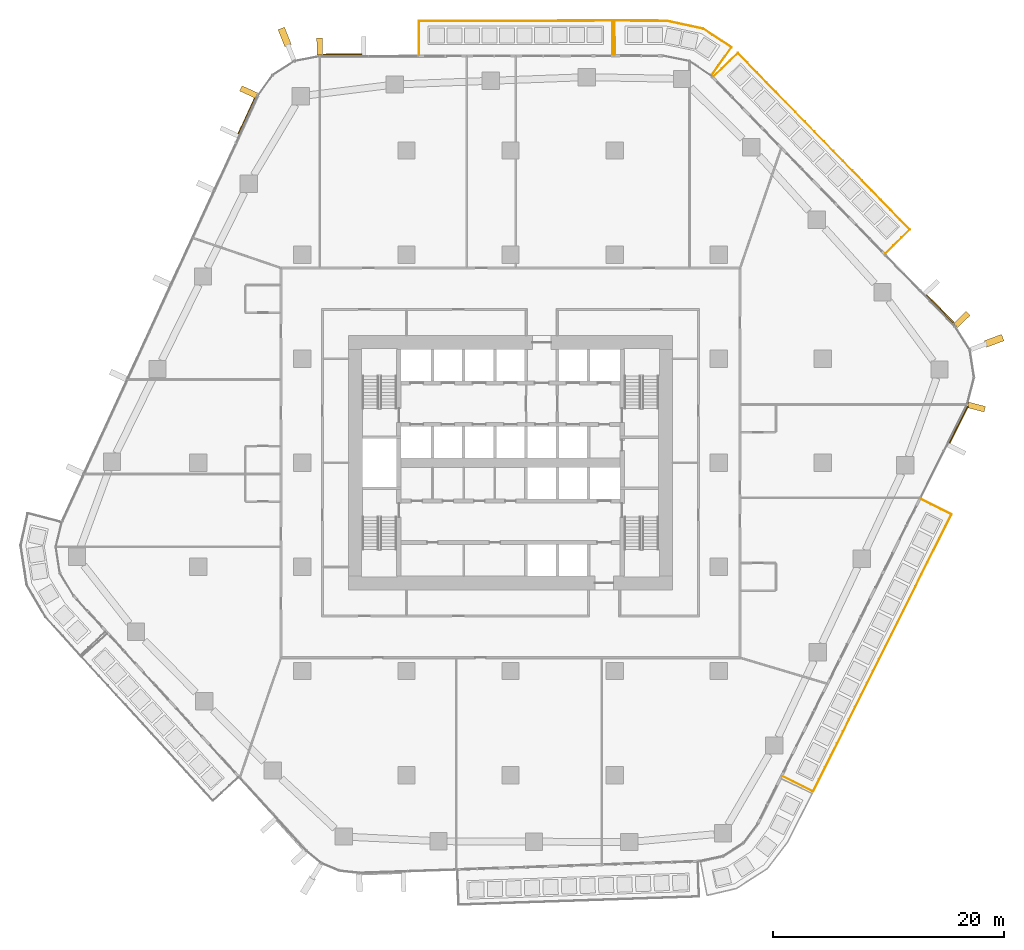
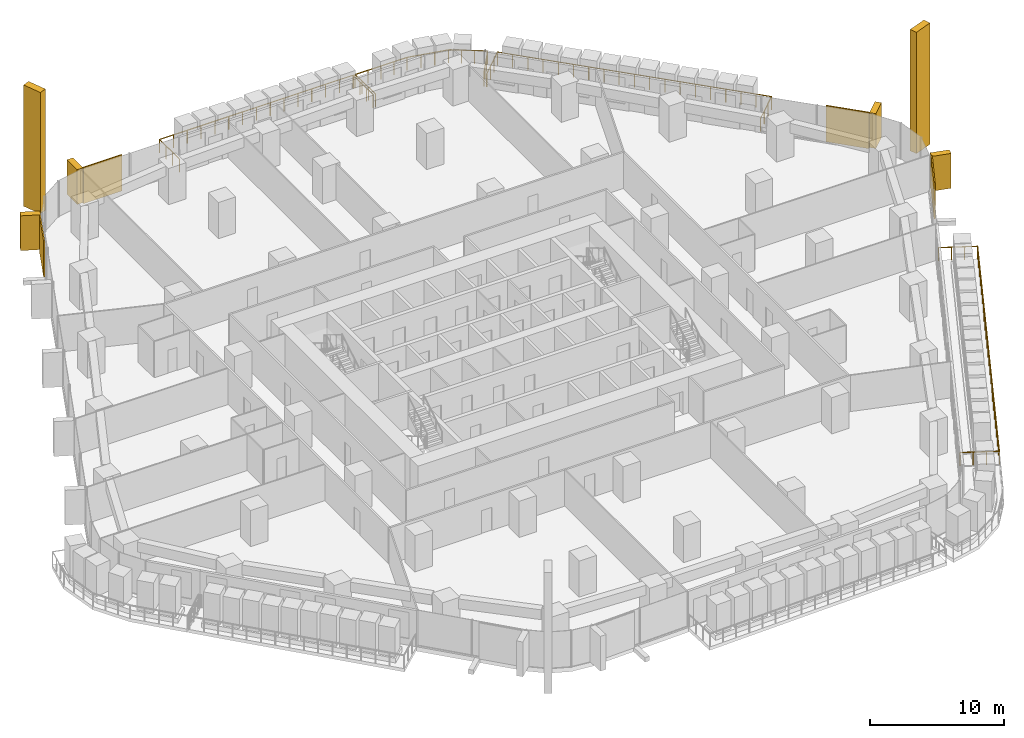
# One storey, part 26 of 26: 10 coverings, 4 railings, 6 elements without a shape of their own.
"""IFC4 building model written with IfcOpenShell, lengths in metres."""

import ifcopenshell
import ifcopenshell.guid

model = None  # the IFC model being written
_history = None  # IfcOwnerHistory: only IFC2X3 demands one
_inside = {}  # id of a spatial element -> (the spatial element, [elements in it])
_under = {}  # id of a project, library or spatial element -> (it, [spatial elements below it])
_declared = {}  # id of a project -> (the project, [libraries it declares])
_typed = {}  # id of a type object -> (the type object, [elements of that type])
_made_of = {}  # id of a material, layer set ... -> (it, [elements and type objects made of it])


def new_model(schema):
    """Start an empty IFC model of exactly this schema.

    Asked for "IFC4X3", IfcOpenShell would pick the latest addendum, in which some entities
    have other attributes; the version numbers below select the first issue.
    IFC2X3 requires an IfcOwnerHistory on every rooted entity: one is made here for all.
    """
    global model, _history
    if schema == "IFC4X3":
        model = ifcopenshell.file(schema_version=(4, 3, 0, 0))
    else:
        model = ifcopenshell.file(schema=schema)
    _inside.clear()
    _under.clear()
    _declared.clear()
    _typed.clear()
    _made_of.clear()
    _history = None
    if model.schema == "IFC2X3":
        org = make("IfcOrganization", Name="unknown")
        user = make(
            "IfcPersonAndOrganization",
            ThePerson=make("IfcPerson", FamilyName="unknown"),
            TheOrganization=org,
        )
        app = make(
            "IfcApplication",
            ApplicationDeveloper=org,
            Version="unknown",
            ApplicationFullName="unknown",
            ApplicationIdentifier="unknown",
        )
        _history = make(
            "IfcOwnerHistory",
            OwningUser=user,
            OwningApplication=app,
            ChangeAction="ADDED",
            CreationDate=0,
        )
    return model


def make(cls, **values):
    """One entity of the class cls with the attributes given. An attribute that is None is left unset."""
    return model.create_entity(
        cls, **{name: value for name, value in values.items() if value is not None}
    )


def rooted(cls, **values):
    """An entity with a GlobalId (a new one), such as an element, a storey or a relation."""
    return make(cls, GlobalId=ifcopenshell.guid.new(), OwnerHistory=_history, **values)


def si_unit(unit_type, name, prefix=None):
    """IfcSIUnit, for example si_unit("LENGTHUNIT", "METRE", prefix="MILLI")."""
    return make("IfcSIUnit", UnitType=unit_type, Prefix=prefix, Name=name)


def assignment(units):
    """IfcUnitAssignment: the units of a project."""
    return None if units is None else make("IfcUnitAssignment", Units=units)


def point(xyz):
    """IfcCartesianPoint."""
    return None if xyz is None else make("IfcCartesianPoint", Coordinates=xyz)


def direction(xyz):
    """IfcDirection."""
    return None if xyz is None else make("IfcDirection", DirectionRatios=xyz)


def frame(location, z_axis=None, x_axis=None):
    """IfcAxis2Placement3D, a coordinate frame: its origin and axes. An axis left out is left unset."""
    return make(
        "IfcAxis2Placement3D",
        Location=point(location),
        Axis=direction(z_axis),
        RefDirection=direction(x_axis),
    )


def frame_2d(location, x_axis=None):
    """IfcAxis2Placement2D, a coordinate frame in the plane: its origin and x axis."""
    return make(
        "IfcAxis2Placement2D", Location=point(location), RefDirection=direction(x_axis)
    )


def origin():
    """The frame at (0, 0, 0) with its axes left unset."""
    return frame((0.0, 0.0, 0.0))


def origin_2d():
    """The frame at (0, 0) in the plane with its x axis left unset."""
    return frame_2d((0.0, 0.0))


def place(relative_to, where):
    """IfcLocalPlacement: puts the frame where relative to a parent placement (None: the world)."""
    return make(
        "IfcLocalPlacement", PlacementRelTo=relative_to, RelativePlacement=where
    )


def context(
    kind, dimensions, precision=None, world=None, true_north=None, identifier=None
):
    """IfcGeometricRepresentationContext, for example the 3D "Model" context."""
    return make(
        "IfcGeometricRepresentationContext",
        ContextIdentifier=identifier,
        ContextType=kind,
        CoordinateSpaceDimension=dimensions,
        Precision=precision,
        WorldCoordinateSystem=world,
        TrueNorth=true_north,
    )


def subcontext(parent, identifier, kind, view, scale=None):
    """IfcGeometricRepresentationSubContext, for example "Body" below "Model"."""
    return make(
        "IfcGeometricRepresentationSubContext",
        ContextIdentifier=identifier,
        ContextType=kind,
        ParentContext=parent,
        TargetScale=scale,
        TargetView=view,
    )


def project(units=None, contexts=None):
    """IfcProject with its units and contexts."""
    return rooted(
        "IfcProject",
        Name="project",
        RepresentationContexts=contexts,
        UnitsInContext=assignment(units),
    )


def spatial(cls, under=None, at=None, **own):
    """A site, building, storey or space (cls), placed at a placement, below another one or the project."""
    s = rooted(cls, ObjectPlacement=at, **own)
    if under is not None:
        _under.setdefault(under.id(), (under, []))[1].append(s)
    return s


def profile(cls, at=None, kind="AREA", **sizes):
    """A parametric profile (cls). Its sizes go by their IFC names, for example OverallWidth=200.0."""
    return make(cls, ProfileType=kind, Position=at, **sizes)


def rectangle(**sizes):
    """IfcRectangleProfileDef."""
    return profile("IfcRectangleProfileDef", **sizes)


def circle(**sizes):
    """IfcCircleProfileDef."""
    return profile("IfcCircleProfileDef", **sizes)


def extrude(swept, where, along, depth):
    """IfcExtrudedAreaSolid: the profile swept, set in the frame where, extruded along a direction by depth."""
    return make(
        "IfcExtrudedAreaSolid",
        SweptArea=swept,
        Position=where,
        ExtrudedDirection=direction(along),
        Depth=depth,
    )


def shape(context_of_items, identifier, shape_type, items):
    """IfcShapeRepresentation: the items that make up one representation, for example the "Body"."""
    return make(
        "IfcShapeRepresentation",
        ContextOfItems=context_of_items,
        RepresentationIdentifier=identifier,
        RepresentationType=shape_type,
        Items=items,
    )


def material(Name=None, Category=None):
    """IfcMaterial."""
    return make("IfcMaterial", Name=Name, Category=Category)


def layer(
    of_material, thickness, ventilated=None, Name=None, Category=None, Priority=None
):
    """IfcMaterialLayer: one layer of a wall or slab, of a material (None: an air gap)."""
    return make(
        "IfcMaterialLayer",
        Material=of_material,
        LayerThickness=thickness,
        IsVentilated=ventilated,
        Name=Name,
        Category=Category,
        Priority=Priority,
    )


def layer_set(layers, Name=None):
    """IfcMaterialLayerSet."""
    return make("IfcMaterialLayerSet", MaterialLayers=layers, LayerSetName=Name)


def material_profile(
    of_material, cross_section, Name=None, Category=None, Priority=None
):
    """IfcMaterialProfile: a cross section and its material."""
    return make(
        "IfcMaterialProfile",
        Name=Name,
        Material=of_material,
        Profile=cross_section,
        Priority=Priority,
        Category=Category,
    )


def profile_set(profiles, Name=None, composite=None):
    """IfcMaterialProfileSet."""
    return make(
        "IfcMaterialProfileSet",
        Name=Name,
        MaterialProfiles=profiles,
        CompositeProfile=composite,
    )


def made_of(thing, what):
    """Note that an element or type object is made of a material, layer set ...; save() writes the relation."""
    if what is not None:
        _made_of.setdefault(what.id(), (what, []))[1].append(thing)
    return thing


def type_object(cls, material=None, **own):
    """A type object (cls), such as IfcWallType, which elements share."""
    return made_of(rooted(cls, **own), material)


def element(
    cls,
    number,
    at=None,
    inside=None,
    cuts=None,
    type_object=None,
    material=None,
    context=None,
    identifier="Body",
    shape_type=None,
    held_by="IfcProductDefinitionShape",
    body=None,
    shapes=None,
    **own,
):
    """One element of the class cls, such as IfcWall. Its Tag is "e" and its number.

    at: its placement. inside: the storey or other place that contains it. cuts: it is an
    opening in that element (IfcRelVoidsElement). A single representation is given by context,
    identifier, shape_type and body (its items); several are given by shapes. held_by: the class
    of the entity that holds the representations. save() writes the other relations.
    """
    e = rooted(cls, Tag="e%d" % number, ObjectPlacement=at, **own)
    if body is not None:
        shapes = [shape(context, identifier, shape_type, body)]
    if shapes is not None:
        e.Representation = make(held_by, Representations=shapes)
    if inside is not None:
        _inside.setdefault(inside.id(), (inside, []))[1].append(e)
    if cuts is not None:
        rooted(
            "IfcRelVoidsElement", RelatingBuildingElement=cuts, RelatedOpeningElement=e
        )
    if type_object is not None:
        _typed.setdefault(type_object.id(), (type_object, []))[1].append(e)
    return made_of(e, material)


def aggregate(whole, parts):
    """IfcRelAggregates: a whole, such as a stair, and the parts it consists of."""
    return rooted("IfcRelAggregates", RelatingObject=whole, RelatedObjects=parts)


def save(model, path):
    """Write the relations noted so far, then the file.

    IfcRelAggregates (storeys below a building ...), IfcRelContainedInSpatialStructure (elements
    in a storey), IfcRelDefinesByType, IfcRelAssociatesMaterial and IfcRelDeclares: one each for
    every whole, place, type object, material and project.
    """
    for whole, parts in _under.values():
        aggregate(whole, parts)
    for where, things in _inside.values():
        rooted(
            "IfcRelContainedInSpatialStructure",
            RelatedElements=things,
            RelatingStructure=where,
        )
    for kind, things in _typed.values():
        rooted("IfcRelDefinesByType", RelatedObjects=things, RelatingType=kind)
    for what, things in _made_of.values():
        rooted("IfcRelAssociatesMaterial", RelatedObjects=things, RelatingMaterial=what)
    for by, libraries in _declared.values():
        rooted("IfcRelDeclares", RelatingContext=by, RelatedDefinitions=libraries)
    model.write(path)


model = new_model("IFC4")

# Units and contexts
model_context = context("Model", 3, precision=1e-05, world=origin(), true_north=direction((0.0, 1.0)))
body_context = subcontext(model_context, "Body", "Model", "MODEL_VIEW")
ifc_project = project(units=[si_unit("LENGTHUNIT", "METRE"), si_unit("AREAUNIT", "SQUARE_METRE"), si_unit("VOLUMEUNIT", "CUBIC_METRE"), si_unit("PLANEANGLEUNIT", "RADIAN"), si_unit("MASSUNIT", "GRAM", prefix="KILO")], contexts=[model_context])

# Site, building, storey
site_placement = place(None, origin())
site = spatial("IfcSite", under=ifc_project, at=site_placement, CompositionType="ELEMENT")
building_placement = place(site_placement, origin())
building = spatial("IfcBuilding", under=site, at=building_placement, Name="Dongbaek Canopy Tower", CompositionType="ELEMENT")
storey_placement = place(building_placement, frame((0.0, 0.0, 66.199951171875)))
storey = spatial("IfcBuildingStorey", under=building, at=storey_placement, Name="L12", CompositionType="ELEMENT", Elevation=66.199951171875)

# Railings
ifc_material_1 = material(Name="Stainless steel", Category="steel")
railing_type = type_object("IfcRailingType", Name="Balcony balustrade 1200", PredefinedType="BALUSTRADE", material=ifc_material_1)
railing_1_placement = place(storey_placement, frame((32.41162109375, 18.11767578125, 0.0)))
element("IfcRailing", 1, at=railing_1_placement, inside=storey, type_object=railing_type, Name="Balcony guard L12 1", PredefinedType="BALUSTRADE", context=body_context, shape_type="SweptSolid", body=[
    extrude(circle(Radius=0.02392578125, at=origin_2d()), frame((0.0, 0.0, 1.17578125), z_axis=(0.717205859131, 0.696861360406, 0.0), x_axis=(-0.696861360406, 0.717205859131, 0.0)), (0.0, 0.0, 1.0), 2.940185546875),
    extrude(circle(Radius=0.02392578125, at=origin_2d()), frame((2.108642578125, 2.048828125, 1.17578125), z_axis=(-0.696881519823, 0.717186271013, 0.0), x_axis=(-0.717186271013, -0.696881519823, 0.0)), (0.0, 0.0, 1.0), 21.30615234375),
    extrude(circle(Radius=0.02392578125, at=origin_2d()), frame((-12.7392578125, 17.329345703125, 1.17578125), z_axis=(-0.717205859131, -0.696861360406, 0.0), x_axis=(0.696861360406, -0.717205859131, 0.0)), (0.0, 0.0, 1.0), 2.940185546875),
    extrude(circle(Radius=0.02099609375, at=origin_2d()), origin(), (0.0, 0.0, 1.0), 1.15185546875),
    extrude(circle(Radius=0.02099609375, at=origin_2d()), frame((0.702880859375, 0.682861328125, 0.0)), (0.0, 0.0, 1.0), 1.15185546875),
    extrude(circle(Radius=0.02099609375, at=origin_2d()), frame((1.40576171875, 1.365966796875, 0.0)), (0.0, 0.0, 1.0), 1.15185546875),
    extrude(circle(Radius=0.02099609375, at=origin_2d()), frame((2.108642578125, 2.048828125, 0.0)), (0.0, 0.0, 1.0), 1.15185546875),
    extrude(circle(Radius=0.02099609375, at=origin_2d()), frame((1.28369140625, 2.897705078125, 0.0)), (0.0, 0.0, 1.0), 1.15185546875),
    extrude(circle(Radius=0.02099609375, at=origin_2d()), frame((0.458984375, 3.74658203125, 0.0)), (0.0, 0.0, 1.0), 1.15185546875),
    extrude(circle(Radius=0.02099609375, at=origin_2d()), frame((-0.365966796875, 4.595703125, 0.0)), (0.0, 0.0, 1.0), 1.15185546875),
    extrude(circle(Radius=0.02099609375, at=origin_2d()), frame((-1.19091796875, 5.444580078125, 0.0)), (0.0, 0.0, 1.0), 1.15185546875),
    extrude(circle(Radius=0.02099609375, at=origin_2d()), frame((-2.015869140625, 6.29345703125, 0.0)), (0.0, 0.0, 1.0), 1.15185546875),
    extrude(circle(Radius=0.02099609375, at=origin_2d()), frame((-2.840576171875, 7.142333984375, 0.0)), (0.0, 0.0, 1.0), 1.15185546875),
    extrude(circle(Radius=0.02099609375, at=origin_2d()), frame((-3.66552734375, 7.9912109375, 0.0)), (0.0, 0.0, 1.0), 1.15185546875),
    extrude(circle(Radius=0.02099609375, at=origin_2d()), frame((-4.490478515625, 8.840087890625, 0.0)), (0.0, 0.0, 1.0), 1.15185546875),
    extrude(circle(Radius=0.02099609375, at=origin_2d()), frame((-5.3154296875, 9.68896484375, 0.0)), (0.0, 0.0, 1.0), 1.15185546875),
    extrude(circle(Radius=0.02099609375, at=origin_2d()), frame((-6.14013671875, 10.5380859375, 0.0)), (0.0, 0.0, 1.0), 1.15185546875),
    extrude(circle(Radius=0.02099609375, at=origin_2d()), frame((-6.965087890625, 11.386962890625, 0.0)), (0.0, 0.0, 1.0), 1.15185546875),
    extrude(circle(Radius=0.02099609375, at=origin_2d()), frame((-7.7900390625, 12.23583984375, 0.0)), (0.0, 0.0, 1.0), 1.15185546875),
    extrude(circle(Radius=0.02099609375, at=origin_2d()), frame((-8.61474609375, 13.084716796875, 0.0)), (0.0, 0.0, 1.0), 1.15185546875),
    extrude(circle(Radius=0.02099609375, at=origin_2d()), frame((-9.439697265625, 13.93359375, 0.0)), (0.0, 0.0, 1.0), 1.15185546875),
    extrude(circle(Radius=0.02099609375, at=origin_2d()), frame((-10.2646484375, 14.78271484375, 0.0)), (0.0, 0.0, 1.0), 1.15185546875),
    extrude(circle(Radius=0.02099609375, at=origin_2d()), frame((-11.089599609375, 15.631591796875, 0.0)), (0.0, 0.0, 1.0), 1.15185546875),
    extrude(circle(Radius=0.02099609375, at=origin_2d()), frame((-11.914306640625, 16.48046875, 0.0)), (0.0, 0.0, 1.0), 1.15185546875),
    extrude(circle(Radius=0.02099609375, at=origin_2d()), frame((-12.7392578125, 17.329345703125, 0.0)), (0.0, 0.0, 1.0), 1.15185546875),
    extrude(circle(Radius=0.02099609375, at=origin_2d()), frame((-13.442138671875, 16.646484375, 0.0)), (0.0, 0.0, 1.0), 1.15185546875),
    extrude(circle(Radius=0.02099609375, at=origin_2d()), frame((-14.14501953125, 15.96337890625, 0.0)), (0.0, 0.0, 1.0), 1.15185546875),
    extrude(circle(Radius=0.02099609375, at=origin_2d()), frame((-14.847900390625, 15.280517578125, 0.0)), (0.0, 0.0, 1.0), 1.15185546875),
])
railing_2_placement = place(storey_placement, frame((8.82421875, 35.28955078125, 0.0)))
element("IfcRailing", 2, at=railing_2_placement, inside=storey, type_object=railing_type, Name="Balcony guard L12 2", PredefinedType="BALUSTRADE", context=body_context, shape_type="SweptSolid", body=[
    extrude(circle(Radius=0.02392578125, at=origin_2d()), frame((0.0, 0.0, 1.17578125), z_axis=(-0.00141172422, 0.999999003517, 0.0), x_axis=(-0.999999003517, -0.00141172422, 0.0)), (0.0, 0.0, 1.0), 2.93994140625),
    extrude(circle(Radius=0.02392578125, at=origin_2d()), frame((-0.004150390625, 2.93994140625, 1.17578125), z_axis=(-0.999998979177, -0.001428861575, 0.0), x_axis=(0.001428861575, -0.999998979177, 0.0)), (0.0, 0.0, 1.0), 16.74462890625),
    extrude(circle(Radius=0.02392578125, at=origin_2d()), frame((-16.748779296875, 2.916015625, 1.17578125), z_axis=(0.001494642522, -0.999998883021, 0.0), x_axis=(0.999998883021, 0.001494642522, 0.0)), (0.0, 0.0, 1.0), 2.940185546875),
    extrude(circle(Radius=0.02099609375, at=origin_2d()), origin(), (0.0, 0.0, 1.0), 1.15185546875),
    extrude(circle(Radius=0.02099609375, at=origin_2d()), frame((-0.00146484375, 0.97998046875, 0.0)), (0.0, 0.0, 1.0), 1.15185546875),
    extrude(circle(Radius=0.02099609375, at=origin_2d()), frame((-0.002685546875, 1.9599609375, 0.0)), (0.0, 0.0, 1.0), 1.15185546875),
    extrude(circle(Radius=0.02099609375, at=origin_2d()), frame((-0.004150390625, 2.93994140625, 0.0)), (0.0, 0.0, 1.0), 1.15185546875),
    extrude(circle(Radius=0.02099609375, at=origin_2d()), frame((-1.2001953125, 2.938232421875, 0.0)), (0.0, 0.0, 1.0), 1.15185546875),
    extrude(circle(Radius=0.02099609375, at=origin_2d()), frame((-2.396240234375, 2.9365234375, 0.0)), (0.0, 0.0, 1.0), 1.15185546875),
    extrude(circle(Radius=0.02099609375, at=origin_2d()), frame((-3.59228515625, 2.934814453125, 0.0)), (0.0, 0.0, 1.0), 1.15185546875),
    extrude(circle(Radius=0.02099609375, at=origin_2d()), frame((-4.788330078125, 2.93310546875, 0.0)), (0.0, 0.0, 1.0), 1.15185546875),
    extrude(circle(Radius=0.02099609375, at=origin_2d()), frame((-5.984375, 2.931396484375, 0.0)), (0.0, 0.0, 1.0), 1.15185546875),
    extrude(circle(Radius=0.02099609375, at=origin_2d()), frame((-7.180419921875, 2.9296875, 0.0)), (0.0, 0.0, 1.0), 1.15185546875),
    extrude(circle(Radius=0.02099609375, at=origin_2d()), frame((-8.37646484375, 2.927978515625, 0.0)), (0.0, 0.0, 1.0), 1.15185546875),
    extrude(circle(Radius=0.02099609375, at=origin_2d()), frame((-9.572509765625, 2.92626953125, 0.0)), (0.0, 0.0, 1.0), 1.15185546875),
    extrude(circle(Radius=0.02099609375, at=origin_2d()), frame((-10.7685546875, 2.924560546875, 0.0)), (0.0, 0.0, 1.0), 1.15185546875),
    extrude(circle(Radius=0.02099609375, at=origin_2d()), frame((-11.964599609375, 2.9228515625, 0.0)), (0.0, 0.0, 1.0), 1.15185546875),
    extrude(circle(Radius=0.02099609375, at=origin_2d()), frame((-13.16064453125, 2.921142578125, 0.0)), (0.0, 0.0, 1.0), 1.15185546875),
    extrude(circle(Radius=0.02099609375, at=origin_2d()), frame((-14.356689453125, 2.91943359375, 0.0)), (0.0, 0.0, 1.0), 1.15185546875),
    extrude(circle(Radius=0.02099609375, at=origin_2d()), frame((-15.552734375, 2.917724609375, 0.0)), (0.0, 0.0, 1.0), 1.15185546875),
    extrude(circle(Radius=0.02099609375, at=origin_2d()), frame((-16.748779296875, 2.916015625, 0.0)), (0.0, 0.0, 1.0), 1.15185546875),
    extrude(circle(Radius=0.02099609375, at=origin_2d()), frame((-16.747314453125, 1.93603515625, 0.0)), (0.0, 0.0, 1.0), 1.15185546875),
    extrude(circle(Radius=0.02099609375, at=origin_2d()), frame((-16.745849609375, 0.955810546875, 0.0)), (0.0, 0.0, 1.0), 1.15185546875),
    extrude(circle(Radius=0.02099609375, at=origin_2d()), frame((-16.744384765625, -0.024169921875, 0.0)), (0.0, 0.0, 1.0), 1.15185546875),
])
railing_3_placement = place(storey_placement, frame((17.396240234375, 33.5390625, 0.0)))
element("IfcRailing", 3, at=railing_3_placement, inside=storey, type_object=railing_type, Name="Balcony guard L12 6", PredefinedType="BALUSTRADE", context=body_context, shape_type="SweptSolid", body=[
    extrude(circle(Radius=0.02392578125, at=origin_2d()), frame((0.0, 0.0, 1.17578125), z_axis=(0.580916151266, 0.813963405319, 0.0), x_axis=(-0.813963405319, 0.580916151266, 0.0)), (0.0, 0.0, 1.0), 2.940673828125),
    extrude(circle(Radius=0.02392578125, at=origin_2d()), frame((1.708251953125, 2.3935546875, 1.17578125), z_axis=(-0.836812141549, 0.547490127543, 0.0), x_axis=(-0.547490127543, -0.836812141549, 0.0)), (0.0, 0.0, 1.0), 2.923095703125),
    extrude(circle(Radius=0.02392578125, at=origin_2d()), frame((-0.73779296875, 3.993896484375, 1.17578125), z_axis=(-0.977539161475, 0.210753855914, 0.0), x_axis=(-0.210753855914, -0.977539161475, 0.0)), (0.0, 0.0, 1.0), 3.266845703125),
    extrude(circle(Radius=0.02392578125, at=origin_2d()), frame((-3.93115234375, 4.682373046875, 1.17578125), z_axis=(-0.99999828738, 0.001850739849, 0.0), x_axis=(-0.001850739849, -0.99999828738, 0.0)), (0.0, 0.0, 1.0), 4.485107421875),
    extrude(circle(Radius=0.02392578125, at=origin_2d()), frame((-8.416259765625, 4.690673828125, 1.17578125), z_axis=(0.021835018894, -0.999761587555, 0.0), x_axis=(0.999761587555, 0.021835018894, 0.0)), (0.0, 0.0, 1.0), 2.940673828125),
    extrude(circle(Radius=0.02099609375, at=origin_2d()), origin(), (0.0, 0.0, 1.0), 1.15185546875),
    extrude(circle(Radius=0.02099609375, at=origin_2d()), frame((0.5693359375, 0.7978515625, 0.0)), (0.0, 0.0, 1.0), 1.15185546875),
    extrude(circle(Radius=0.02099609375, at=origin_2d()), frame((1.138916015625, 1.595703125, 0.0)), (0.0, 0.0, 1.0), 1.15185546875),
    extrude(circle(Radius=0.02099609375, at=origin_2d()), frame((1.708251953125, 2.3935546875, 0.0)), (0.0, 0.0, 1.0), 1.15185546875),
    extrude(circle(Radius=0.02099609375, at=origin_2d()), frame((0.892822265625, 2.927001953125, 0.0)), (0.0, 0.0, 1.0), 1.15185546875),
    extrude(circle(Radius=0.02099609375, at=origin_2d()), frame((0.07763671875, 3.46044921875, 0.0)), (0.0, 0.0, 1.0), 1.15185546875),
    extrude(circle(Radius=0.02099609375, at=origin_2d()), frame((-0.73779296875, 3.993896484375, 0.0)), (0.0, 0.0, 1.0), 1.15185546875),
    extrude(circle(Radius=0.02099609375, at=origin_2d()), frame((-1.80224609375, 4.223388671875, 0.0)), (0.0, 0.0, 1.0), 1.15185546875),
    extrude(circle(Radius=0.02099609375, at=origin_2d()), frame((-2.86669921875, 4.452880859375, 0.0)), (0.0, 0.0, 1.0), 1.15185546875),
    extrude(circle(Radius=0.02099609375, at=origin_2d()), frame((-3.93115234375, 4.682373046875, 0.0)), (0.0, 0.0, 1.0), 1.15185546875),
    extrude(circle(Radius=0.02099609375, at=origin_2d()), frame((-5.052490234375, 4.6845703125, 0.0)), (0.0, 0.0, 1.0), 1.15185546875),
    extrude(circle(Radius=0.02099609375, at=origin_2d()), frame((-6.173828125, 4.6865234375, 0.0)), (0.0, 0.0, 1.0), 1.15185546875),
    extrude(circle(Radius=0.02099609375, at=origin_2d()), frame((-7.294921875, 4.6884765625, 0.0)), (0.0, 0.0, 1.0), 1.15185546875),
    extrude(circle(Radius=0.02099609375, at=origin_2d()), frame((-8.416259765625, 4.690673828125, 0.0)), (0.0, 0.0, 1.0), 1.15185546875),
    extrude(circle(Radius=0.02099609375, at=origin_2d()), frame((-8.394775390625, 3.710693359375, 0.0)), (0.0, 0.0, 1.0), 1.15185546875),
    extrude(circle(Radius=0.02099609375, at=origin_2d()), frame((-8.37353515625, 2.730712890625, 0.0)), (0.0, 0.0, 1.0), 1.15185546875),
    extrude(circle(Radius=0.02099609375, at=origin_2d()), frame((-8.35205078125, 1.750732421875, 0.0)), (0.0, 0.0, 1.0), 1.15185546875),
])
railing_4_placement = place(storey_placement, frame((23.53271484375, -27.111328125, 0.0)))
element("IfcRailing", 4, at=railing_4_placement, inside=storey, type_object=railing_type, Name="Balcony guard L12 5", PredefinedType="BALUSTRADE", context=body_context, shape_type="SweptSolid", body=[
    extrude(circle(Radius=0.02392578125, at=origin_2d()), frame((0.0, 0.0, 1.17578125), z_axis=(0.894825421688, -0.446416246009, 0.0), x_axis=(0.446416246009, 0.894825421688, 0.0)), (0.0, 0.0, 1.0), 2.940185546875),
    extrude(circle(Radius=0.02392578125, at=origin_2d()), frame((2.630859375, -1.3125, 1.17578125), z_axis=(0.446422098832, 0.89482250177, 0.0), x_axis=(-0.89482250177, 0.446422098832, 0.0)), (0.0, 0.0, 1.0), 26.77978515625),
    extrude(circle(Radius=0.02392578125, at=origin_2d()), frame((14.5859375, 22.650634765625, 1.17578125), z_axis=(-0.894825421688, 0.446416246009, 0.0), x_axis=(-0.446416246009, -0.894825421688, 0.0)), (0.0, 0.0, 1.0), 2.940185546875),
    extrude(circle(Radius=0.02099609375, at=origin_2d()), origin(), (0.0, 0.0, 1.0), 1.15185546875),
    extrude(circle(Radius=0.02099609375, at=origin_2d()), frame((0.876953125, -0.4375, 0.0)), (0.0, 0.0, 1.0), 1.15185546875),
    extrude(circle(Radius=0.02099609375, at=origin_2d()), frame((1.75390625, -0.875, 0.0)), (0.0, 0.0, 1.0), 1.15185546875),
    extrude(circle(Radius=0.02099609375, at=origin_2d()), frame((2.630859375, -1.3125, 0.0)), (0.0, 0.0, 1.0), 1.15185546875),
    extrude(circle(Radius=0.02099609375, at=origin_2d()), frame((3.150634765625, -0.2705078125, 0.0)), (0.0, 0.0, 1.0), 1.15185546875),
    extrude(circle(Radius=0.02099609375, at=origin_2d()), frame((3.67041015625, 0.771240234375, 0.0)), (0.0, 0.0, 1.0), 1.15185546875),
    extrude(circle(Radius=0.02099609375, at=origin_2d()), frame((4.190185546875, 1.813232421875, 0.0)), (0.0, 0.0, 1.0), 1.15185546875),
    extrude(circle(Radius=0.02099609375, at=origin_2d()), frame((4.7099609375, 2.85498046875, 0.0)), (0.0, 0.0, 1.0), 1.15185546875),
    extrude(circle(Radius=0.02099609375, at=origin_2d()), frame((5.229736328125, 3.89697265625, 0.0)), (0.0, 0.0, 1.0), 1.15185546875),
    extrude(circle(Radius=0.02099609375, at=origin_2d()), frame((5.74951171875, 4.938720703125, 0.0)), (0.0, 0.0, 1.0), 1.15185546875),
    extrude(circle(Radius=0.02099609375, at=origin_2d()), frame((6.269287109375, 5.980712890625, 0.0)), (0.0, 0.0, 1.0), 1.15185546875),
    extrude(circle(Radius=0.02099609375, at=origin_2d()), frame((6.7890625, 7.0224609375, 0.0)), (0.0, 0.0, 1.0), 1.15185546875),
    extrude(circle(Radius=0.02099609375, at=origin_2d()), frame((7.308837890625, 8.064453125, 0.0)), (0.0, 0.0, 1.0), 1.15185546875),
    extrude(circle(Radius=0.02099609375, at=origin_2d()), frame((7.82861328125, 9.106201171875, 0.0)), (0.0, 0.0, 1.0), 1.15185546875),
    extrude(circle(Radius=0.02099609375, at=origin_2d()), frame((8.348388671875, 10.148193359375, 0.0)), (0.0, 0.0, 1.0), 1.15185546875),
    extrude(circle(Radius=0.02099609375, at=origin_2d()), frame((8.868408203125, 11.18994140625, 0.0)), (0.0, 0.0, 1.0), 1.15185546875),
    extrude(circle(Radius=0.02099609375, at=origin_2d()), frame((9.38818359375, 12.23193359375, 0.0)), (0.0, 0.0, 1.0), 1.15185546875),
    extrude(circle(Radius=0.02099609375, at=origin_2d()), frame((9.907958984375, 13.273681640625, 0.0)), (0.0, 0.0, 1.0), 1.15185546875),
    extrude(circle(Radius=0.02099609375, at=origin_2d()), frame((10.427734375, 14.315673828125, 0.0)), (0.0, 0.0, 1.0), 1.15185546875),
    extrude(circle(Radius=0.02099609375, at=origin_2d()), frame((10.947509765625, 15.357421875, 0.0)), (0.0, 0.0, 1.0), 1.15185546875),
    extrude(circle(Radius=0.02099609375, at=origin_2d()), frame((11.46728515625, 16.3994140625, 0.0)), (0.0, 0.0, 1.0), 1.15185546875),
    extrude(circle(Radius=0.02099609375, at=origin_2d()), frame((11.987060546875, 17.441162109375, 0.0)), (0.0, 0.0, 1.0), 1.15185546875),
    extrude(circle(Radius=0.02099609375, at=origin_2d()), frame((12.5068359375, 18.483154296875, 0.0)), (0.0, 0.0, 1.0), 1.15185546875),
    extrude(circle(Radius=0.02099609375, at=origin_2d()), frame((13.026611328125, 19.52490234375, 0.0)), (0.0, 0.0, 1.0), 1.15185546875),
    extrude(circle(Radius=0.02099609375, at=origin_2d()), frame((13.54638671875, 20.56689453125, 0.0)), (0.0, 0.0, 1.0), 1.15185546875),
    extrude(circle(Radius=0.02099609375, at=origin_2d()), frame((14.066162109375, 21.608642578125, 0.0)), (0.0, 0.0, 1.0), 1.15185546875),
    extrude(circle(Radius=0.02099609375, at=origin_2d()), frame((14.5859375, 22.650634765625, 0.0)), (0.0, 0.0, 1.0), 1.15185546875),
    extrude(circle(Radius=0.02099609375, at=origin_2d()), frame((13.708984375, 23.088134765625, 0.0)), (0.0, 0.0, 1.0), 1.15185546875),
    extrude(circle(Radius=0.02099609375, at=origin_2d()), frame((12.83203125, 23.525634765625, 0.0)), (0.0, 0.0, 1.0), 1.15185546875),
    extrude(circle(Radius=0.02099609375, at=origin_2d()), frame((11.955078125, 23.963134765625, 0.0)), (0.0, 0.0, 1.0), 1.15185546875),
])

# Curtain wall, covering
ifc_material_2 = material(Name="Aluminium 6063-T6 pale anodised", Category="aluminium")
ifc_layer_1 = layer(ifc_material_2, 0.199951171875)
ifc_layer_set_1 = layer_set([ifc_layer_1], Name="CW-1 unitised tower curtain wall")
curtain_wall_type = type_object("IfcCurtainWallType", Name="CW-1 unitised tower curtain wall", PredefinedType="NOTDEFINED", material=ifc_layer_set_1)
curtain_wall_1_placement = place(storey_placement, origin())
curtain_wall_1 = element("IfcCurtainWall", 5, at=curtain_wall_1_placement, inside=storey, type_object=curtain_wall_type, Name="CW-1 curtain wall K0.1", PredefinedType="NOTDEFINED")
ifc_material_3 = material(Name="Aluminium 6063-T6 pale metal fin", Category="aluminium")
ifc_material_profile_1 = material_profile(ifc_material_3, rectangle(XDim=1.60009765625, YDim=0.60009765625, at=origin_2d()), Name="Corner fin CN1 600 x 1600 pale metal")
ifc_profile_set_1 = profile_set([ifc_material_profile_1], Name="Aluminium 6063-T6 pale metal fin")
covering_type_1 = type_object("IfcCoveringType", Name="Corner fin CN1 600 x 1600 pale metal", PredefinedType="CLADDING", material=ifc_profile_set_1)
covering_1_placement = place(storey_placement, frame((41.81396484375, 10.551513671875, -0.199951171875), z_axis=(0.0, 0.0, 1.0), x_axis=(0.935976609021, 0.352062192468, 0.0)))
covering_1 = element("IfcCovering", 6, at=covering_1_placement, type_object=covering_type_1, Name="Corner fin L12 L14 K0", PredefinedType="CLADDING", context=body_context, shape_type="SweptSolid", body=[
    extrude(rectangle(XDim=1.60009765625, YDim=0.60009765625, at=origin_2d()), origin(), (0.0, 0.0, 1.0), 11.080078125),
])

curtain_wall_2_placement = place(storey_placement, origin())
curtain_wall_2 = element("IfcCurtainWall", 7, at=curtain_wall_2_placement, inside=storey, type_object=curtain_wall_type, Name="CW-1 curtain wall K2.1", PredefinedType="NOTDEFINED")
covering_2_placement = place(storey_placement, frame((-19.532958984375, 36.8193359375, -0.199951171875), z_axis=(0.0, 0.0, 1.0), x_axis=(-0.371661129954, 0.928368463748, 0.0)))
covering_2 = element("IfcCovering", 8, at=covering_2_placement, type_object=covering_type_1, Name="Corner fin L12 L14 K2", PredefinedType="CLADDING", context=body_context, shape_type="SweptSolid", body=[
    extrude(rectangle(XDim=1.60009765625, YDim=0.60009765625, at=origin_2d()), origin(), (0.0, 0.0, 1.0), 11.080078125),
])
aggregate(curtain_wall_2, [covering_2])

curtain_wall_3_placement = place(storey_placement, origin())
curtain_wall_3 = element("IfcCurtainWall", 9, at=curtain_wall_3_placement, inside=storey, type_object=curtain_wall_type, Name="CW-1 curtain wall F5.1", PredefinedType="NOTDEFINED")
ifc_material_4 = material(Name="Perforated aluminium 6063-T6 pale metal screen", Category="aluminium")
ifc_layer_2 = layer(ifc_material_4, 0.10009765625)
ifc_layer_set_2 = layer_set([ifc_layer_2], Name="Facet screen FS1 100 pale metal")
covering_type_2 = type_object("IfcCoveringType", Name="Facet screen FS1 100 pale metal", PredefinedType="CLADDING", material=ifc_layer_set_2)
covering_3_placement = place(storey_placement, frame((38.75146484375, 3.290283203125, 0.0), z_axis=(0.0, 0.0, 1.0), x_axis=(0.446421158793, 0.89482297075, 0.0)))
covering_3 = element("IfcCovering", 10, at=covering_3_placement, type_object=covering_type_2, Name="Facet screen L12 F5", PredefinedType="CLADDING", context=body_context, shape_type="SweptSolid", body=[
    extrude(rectangle(XDim=3.529541015625, YDim=0.10009765625, at=origin_2d()), origin(), (0.0, 0.0, 1.0), 3.300048828125),
])
aggregate(curtain_wall_3, [covering_3])

curtain_wall_4_placement = place(storey_placement, origin())
curtain_wall_4 = element("IfcCurtainWall", 11, at=curtain_wall_4_placement, inside=storey, type_object=curtain_wall_type, Name="CW-1 curtain wall F0.1", PredefinedType="NOTDEFINED")
covering_4_placement = place(storey_placement, frame((37.143310546875, 13.314208984375, 0.0), z_axis=(0.0, 0.0, 1.0), x_axis=(-0.696881015519, 0.717186761039, 0.0)))
covering_4 = element("IfcCovering", 12, at=covering_4_placement, type_object=covering_type_2, Name="Facet screen L12 F0", PredefinedType="CLADDING", context=body_context, shape_type="SweptSolid", body=[
    extrude(rectangle(XDim=3.35595703125, YDim=0.10009765625, at=origin_2d()), origin(), (0.0, 0.0, 1.0), 3.300048828125),
])

curtain_wall_5_placement = place(storey_placement, origin())
curtain_wall_5 = element("IfcCurtainWall", 13, at=curtain_wall_5_placement, inside=storey, type_object=curtain_wall_type, Name="CW-1 curtain wall F1.1", PredefinedType="NOTDEFINED")
covering_5_placement = place(storey_placement, frame((-14.53466796875, 35.302001953125, 0.0), z_axis=(0.0, 0.0, 1.0), x_axis=(-0.999998970875, -0.001434660153, 0.0)))
covering_5 = element("IfcCovering", 14, at=covering_5_placement, type_object=covering_type_2, Name="Facet screen L12 F1", PredefinedType="CLADDING", context=body_context, shape_type="SweptSolid", body=[
    extrude(rectangle(XDim=3.356689453125, YDim=0.10009765625, at=origin_2d()), origin(), (0.0, 0.0, 1.0), 3.300048828125),
])

curtain_wall_6_placement = place(storey_placement, origin())
curtain_wall_6 = element("IfcCurtainWall", 15, at=curtain_wall_6_placement, inside=storey, type_object=curtain_wall_type, Name="CW-1 curtain wall F2.1", PredefinedType="NOTDEFINED")
covering_6_placement = place(storey_placement, frame((-22.822998046875, 29.98388671875, 0.0), z_axis=(0.0, 0.0, 1.0), x_axis=(-0.418024046506, -0.908435961718, 0.0)))
covering_6 = element("IfcCovering", 16, at=covering_6_placement, type_object=covering_type_2, Name="Facet screen L12 F2", PredefinedType="CLADDING", context=body_context, shape_type="SweptSolid", body=[
    extrude(rectangle(XDim=3.356689453125, YDim=0.10009765625, at=origin_2d()), origin(), (0.0, 0.0, 1.0), 3.300048828125),
])

# Covering
ifc_material_5 = material(Name="Aluminium 6063-T6 pale metal fin", Category="aluminium")
ifc_material_profile_2 = material_profile(ifc_material_5, rectangle(XDim=1.5, YDim=0.5, at=origin_2d()), Name="Fin FN1 500 x 1500 pale metal")
ifc_profile_set_2 = profile_set([ifc_material_profile_2], Name="Aluminium 6063-T6 pale metal fin")
covering_type_3 = type_object("IfcCoveringType", Name="Fin FN1 500 x 1500 pale metal", PredefinedType="CLADDING", material=ifc_profile_set_2)
covering_7_placement = place(storey_placement, frame((40.28271484375, 4.82275390625, 0.1201171875), z_axis=(0.0, 0.0, 1.0), x_axis=(0.967124445532, -0.254303572242, 0.0)))
covering_7 = element("IfcCovering", 17, at=covering_7_placement, type_object=covering_type_3, Name="Fin K0.1.1", PredefinedType="CLADDING", context=body_context, shape_type="SweptSolid", body=[
    extrude(rectangle(XDim=1.5, YDim=0.5, at=origin_2d()), origin(), (0.0, 0.0, 1.0), 3.179931640625),
])

aggregate(curtain_wall_1, [covering_7, covering_1])

covering_8_placement = place(storey_placement, frame((39.01953125, 12.393310546875, 0.1201171875), z_axis=(0.0, 0.0, 1.0), x_axis=(0.717186200853, 0.696881592027, 0.0)))
covering_8 = element("IfcCovering", 18, at=covering_8_placement, type_object=covering_type_3, Name="Fin F0.1.1", PredefinedType="CLADDING", context=body_context, shape_type="SweptSolid", body=[
    extrude(rectangle(XDim=1.5, YDim=0.5, at=origin_2d()), origin(), (0.0, 0.0, 1.0), 3.179931640625),
])

aggregate(curtain_wall_4, [covering_8, covering_4])

covering_9_placement = place(storey_placement, frame((-16.504150390625, 36.003173828125, 0.1201171875), z_axis=(0.0, 0.0, 1.0), x_axis=(-0.00143427852, 0.999998971422, 0.0)))
covering_9 = element("IfcCovering", 19, at=covering_9_placement, type_object=covering_type_3, Name="Fin F1.1.3", PredefinedType="CLADDING", context=body_context, shape_type="SweptSolid", body=[
    extrude(rectangle(XDim=1.5, YDim=0.5, at=origin_2d()), origin(), (0.0, 0.0, 1.0), 3.179931640625),
])

aggregate(curtain_wall_5, [covering_9, covering_5])

covering_10_placement = place(storey_placement, frame((-22.639892578125, 32.066162109375, 0.1201171875), z_axis=(0.0, 0.0, 1.0), x_axis=(-0.908435687115, 0.418024643264, 0.0)))
covering_10 = element("IfcCovering", 20, at=covering_10_placement, type_object=covering_type_3, Name="Fin F2.1.1", PredefinedType="CLADDING", context=body_context, shape_type="SweptSolid", body=[
    extrude(rectangle(XDim=1.5, YDim=0.5, at=origin_2d()), origin(), (0.0, 0.0, 1.0), 3.179931640625),
])

aggregate(curtain_wall_6, [covering_10, covering_6])

save(model, "model.ifc")
